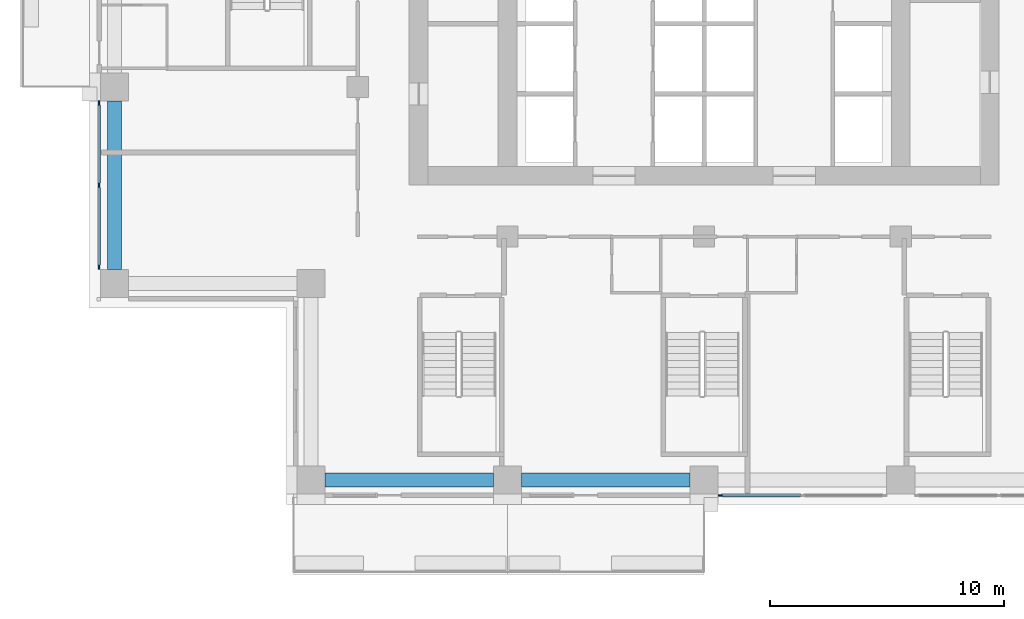
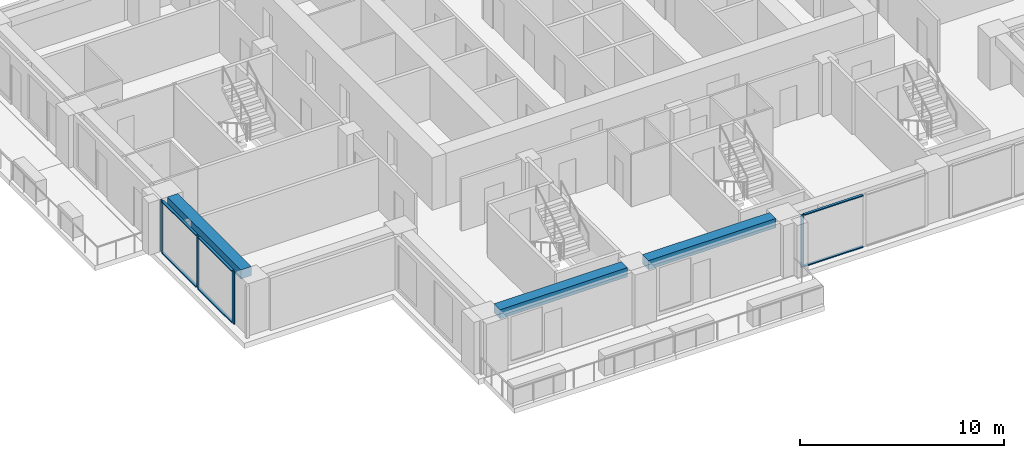
# One storey, part 2 of 16: 10 members, 3 beams, 2 elements without a shape of their own.
"""IFC4 building model written with IfcOpenShell, lengths in metres."""

from ifc_helpers import new_model, si_unit, direction, frame, origin, origin_2d, place, context, subcontext, project, spatial, rectangle, extrude, material, material_profile, profile_set, type_object, element, aggregate, save


model = new_model("IFC4")

# Units and contexts
model_context = context("Model", 3, precision=1e-05, world=origin(), true_north=direction((0.0, 1.0)))
body_context = subcontext(model_context, "Body", "Model", "MODEL_VIEW")
ifc_project = project(units=[si_unit("LENGTHUNIT", "METRE"), si_unit("AREAUNIT", "SQUARE_METRE"), si_unit("VOLUMEUNIT", "CUBIC_METRE"), si_unit("PLANEANGLEUNIT", "RADIAN"), si_unit("MASSUNIT", "GRAM", prefix="KILO")], contexts=[model_context])

# Site, building, storey
site_placement = place(None, origin())
site = spatial("IfcSite", under=ifc_project, at=site_placement, CompositionType="ELEMENT")
building_placement = place(site_placement, origin())
building = spatial("IfcBuilding", under=site, at=building_placement, Name="Vermilion Ogive Tower", CompositionType="ELEMENT")
storey_placement = place(building_placement, frame((0.0, 0.0, 101.10009765625)))
storey = spatial("IfcBuildingStorey", under=building, at=storey_placement, Name="L25", CompositionType="ELEMENT", Elevation=101.10009765625)

# Curtain wall, member
ifc_material_1 = material(Name="Low-iron laminated glazing in aluminium frame", Category="aluminium")
curtain_wall_type = type_object("IfcCurtainWallType", Name="Curtain wall CW7", PredefinedType="NOTDEFINED", material=ifc_material_1)
curtain_wall_1_placement = place(storey_placement, origin())
curtain_wall_1 = element("IfcCurtainWall", 1, at=curtain_wall_1_placement, inside=storey, type_object=curtain_wall_type, Name="Glazed skin S3", PredefinedType="NOTDEFINED")
ifc_material_2 = material(Name="Aluminium mullion", Category="aluminium")
ifc_material_profile_1 = material_profile(ifc_material_2, rectangle(XDim=0.06005859375, YDim=0.179931640625, at=origin_2d()), Name="AL 60x180")
ifc_profile_set_1 = profile_set([ifc_material_profile_1], Name="Aluminium mullion")
member_type_1 = type_object("IfcMemberType", Name="CW7 mullion 60x180", PredefinedType="MULLION", material=ifc_profile_set_1)
member_1_placement = place(storey_placement, frame((0.68994140625, -21.64990234375, 0.0), z_axis=(0.0, 0.0, 1.0), x_axis=(0.0, 1.0, 0.0)))
member_1 = element("IfcMember", 2, at=member_1_placement, type_object=member_type_1, Name="CW7-S3 mullion 1", PredefinedType="MULLION", context=body_context, shape_type="SweptSolid", body=[
    extrude(rectangle(XDim=0.06005859375, YDim=0.179931640625, at=origin_2d()), origin(), (0.0, 0.0, 1.0), 3.1298828125),
])

# Curtain wall, members
curtain_wall_2_placement = place(storey_placement, origin())
curtain_wall_2 = element("IfcCurtainWall", 3, at=curtain_wall_2_placement, inside=storey, type_object=curtain_wall_type, Name="Glazed skin W3", PredefinedType="NOTDEFINED")
member_2_placement = place(storey_placement, frame((-25.85009765625, -4.889892578125, 0.0), z_axis=(0.0, 0.0, 1.0), x_axis=(1.0, 0.0, 0.0)))
member_2 = element("IfcMember", 4, at=member_2_placement, type_object=member_type_1, Name="CW7-W3 mullion 1", PredefinedType="MULLION", context=body_context, shape_type="SweptSolid", body=[
    extrude(rectangle(XDim=0.06005859375, YDim=0.179931640625, at=origin_2d()), origin(), (0.0, 0.0, 1.0), 3.1298828125),
])
member_3_placement = place(storey_placement, frame((-25.85009765625, -8.39990234375, 0.0), z_axis=(0.0, 0.0, 1.0), x_axis=(1.0, 0.0, 0.0)))
member_3 = element("IfcMember", 5, at=member_3_placement, type_object=member_type_1, Name="CW7-W3 mullion 2", PredefinedType="MULLION", context=body_context, shape_type="SweptSolid", body=[
    extrude(rectangle(XDim=0.06005859375, YDim=0.179931640625, at=origin_2d()), origin(), (0.0, 0.0, 1.0), 3.1298828125),
])
member_4_placement = place(storey_placement, frame((-25.85009765625, -11.909912109375, 0.0), z_axis=(0.0, 0.0, 1.0), x_axis=(1.0, 0.0, 0.0)))
member_4 = element("IfcMember", 6, at=member_4_placement, type_object=member_type_1, Name="CW7-W3 mullion 3", PredefinedType="MULLION", context=body_context, shape_type="SweptSolid", body=[
    extrude(rectangle(XDim=0.06005859375, YDim=0.179931640625, at=origin_2d()), origin(), (0.0, 0.0, 1.0), 3.1298828125),
])

# Member
ifc_material_3 = material(Name="Aluminium transom", Category="aluminium")
ifc_material_profile_2 = material_profile(ifc_material_3, rectangle(XDim=0.139892578125, YDim=0.06005859375, at=origin_2d()), Name="AL 60x140")
ifc_profile_set_2 = profile_set([ifc_material_profile_2], Name="Aluminium transom")
member_type_2 = type_object("IfcMemberType", Name="CW7 transom 60x140", PredefinedType="USERDEFINED", material=ifc_profile_set_2)
member_5_placement = place(storey_placement, frame((0.780029296875, -21.64990234375, 0.02978515625), z_axis=(1.0, 0.0, 0.0), x_axis=(0.0, 1.0, 0.0)))
member_5 = element("IfcMember", 7, at=member_5_placement, type_object=member_type_2, Name="CW7-S3 transom 1.1", ObjectType="TRANSOM", PredefinedType="USERDEFINED", context=body_context, shape_type="SweptSolid", body=[
    extrude(rectangle(XDim=0.139892578125, YDim=0.06005859375, at=origin_2d()), origin(), (0.0, 0.0, 1.0), 3.330078125),
])

member_6_placement = place(storey_placement, frame((0.780029296875, -21.64990234375, 3.099853515625), z_axis=(1.0, 0.0, 0.0), x_axis=(0.0, 1.0, 0.0)))
member_6 = element("IfcMember", 8, at=member_6_placement, type_object=member_type_2, Name="CW7-S3 transom 1.2", ObjectType="TRANSOM", PredefinedType="USERDEFINED", context=body_context, shape_type="SweptSolid", body=[
    extrude(rectangle(XDim=0.139892578125, YDim=0.06005859375, at=origin_2d()), origin(), (0.0, 0.0, 1.0), 3.330078125),
])

aggregate(curtain_wall_1, [member_1, member_5, member_6])

member_7_placement = place(storey_placement, frame((-25.85009765625, -4.97998046875, 0.02978515625), z_axis=(0.0, -1.0, 0.0), x_axis=(1.0, 0.0, 0.0)))
member_7 = element("IfcMember", 9, at=member_7_placement, type_object=member_type_2, Name="CW7-W3 transom 1.1", ObjectType="TRANSOM", PredefinedType="USERDEFINED", context=body_context, shape_type="SweptSolid", body=[
    extrude(rectangle(XDim=0.139892578125, YDim=0.06005859375, at=origin_2d()), origin(), (0.0, 0.0, 1.0), 3.330078125),
])

member_8_placement = place(storey_placement, frame((-25.85009765625, -4.97998046875, 3.099853515625), z_axis=(0.0, -1.0, 0.0), x_axis=(1.0, 0.0, 0.0)))
member_8 = element("IfcMember", 10, at=member_8_placement, type_object=member_type_2, Name="CW7-W3 transom 1.2", ObjectType="TRANSOM", PredefinedType="USERDEFINED", context=body_context, shape_type="SweptSolid", body=[
    extrude(rectangle(XDim=0.139892578125, YDim=0.06005859375, at=origin_2d()), origin(), (0.0, 0.0, 1.0), 3.330078125),
])

member_9_placement = place(storey_placement, frame((-25.85009765625, -8.489990234375, 0.02978515625), z_axis=(0.0, -1.0, 0.0), x_axis=(1.0, 0.0, 0.0)))
member_9 = element("IfcMember", 11, at=member_9_placement, type_object=member_type_2, Name="CW7-W3 transom 2.1", ObjectType="TRANSOM", PredefinedType="USERDEFINED", context=body_context, shape_type="SweptSolid", body=[
    extrude(rectangle(XDim=0.139892578125, YDim=0.06005859375, at=origin_2d()), origin(), (0.0, 0.0, 1.0), 3.330078125),
])

member_10_placement = place(storey_placement, frame((-25.85009765625, -8.489990234375, 3.099853515625), z_axis=(0.0, -1.0, 0.0), x_axis=(1.0, 0.0, 0.0)))
member_10 = element("IfcMember", 12, at=member_10_placement, type_object=member_type_2, Name="CW7-W3 transom 2.2", ObjectType="TRANSOM", PredefinedType="USERDEFINED", context=body_context, shape_type="SweptSolid", body=[
    extrude(rectangle(XDim=0.139892578125, YDim=0.06005859375, at=origin_2d()), origin(), (0.0, 0.0, 1.0), 3.330078125),
])

aggregate(curtain_wall_2, [member_2, member_3, member_4, member_7, member_8, member_9, member_10])

# Beams
ifc_material_4 = material(Name="Concrete B45", Category="concrete")
ifc_material_profile_3 = material_profile(ifc_material_4, rectangle(XDim=0.60009765625, YDim=0.550048828125, at=origin_2d()), Name="600 x 550")
ifc_profile_set_3 = profile_set([ifc_material_profile_3], Name="Concrete B45")
beam_type = type_object("IfcBeamType", Name="Edge beam 600 x 550 B45", PredefinedType="BEAM", material=ifc_profile_set_3)
for number, where, z_axis, x_axis, name in (
    (13, (-16.199951171875, -21.0, 2.85498046875), (1.0, 0.0, 0.0), (0.0, 1.0, 0.0), "L25-EB-1"),
    (14, (-7.800048828125, -21.0, 2.85498046875), (1.0, 0.0, 0.0), (0.0, 1.0, 0.0), "L25-EB-2"),
    (15, (-25.199951171875, -4.800048828125, 2.85498046875), (0.0, -1.0, 0.0), (1.0, 0.0, 0.0), "L25-EB-16"),
):
    element("IfcBeam", number, at=place(storey_placement, frame(where, z_axis=z_axis, x_axis=x_axis)), inside=storey, type_object=beam_type, Name=name, PredefinedType="BEAM", context=body_context, shape_type="SweptSolid", body=[
        extrude(rectangle(XDim=0.60009765625, YDim=0.550048828125, at=origin_2d()), origin(), (0.0, 0.0, 1.0), 7.199951171875),
    ])

save(model, "model.ifc")
